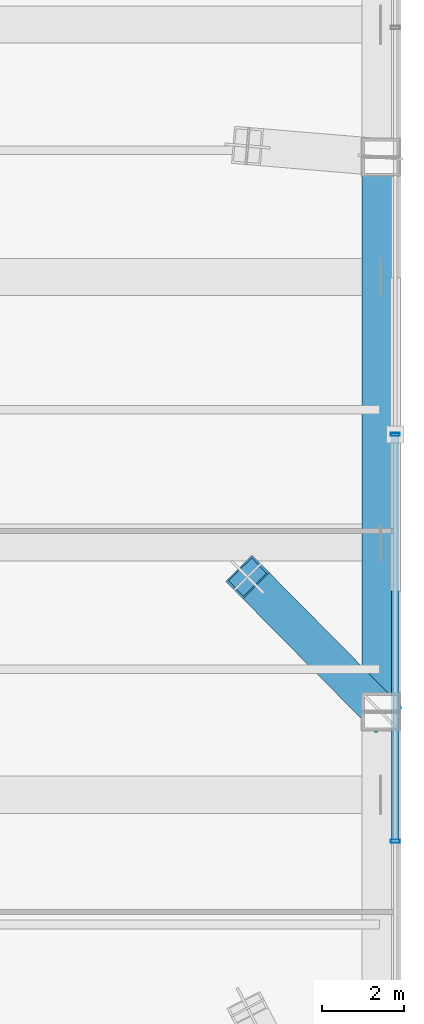
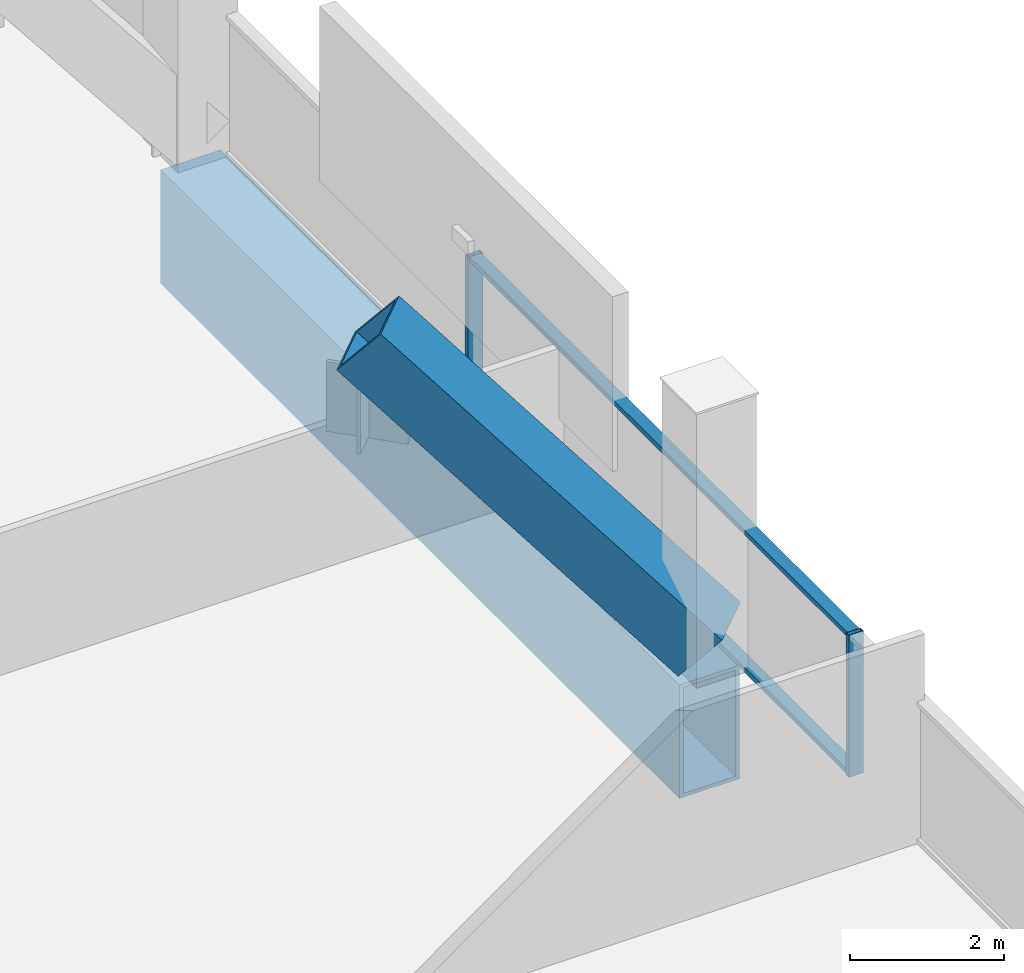
# One storey, part 14 of 38: 5 members, 1 beam, 1 element without a shape of its own.
"""IFC4 building model written with IfcOpenShell, lengths in metres."""

from ifc_helpers import new_model, si_unit, direction, frame, origin, origin_2d, place, context, subcontext, project, spatial, hollow_rectangle, extrude, material, layer, layer_set, material_profile, profile_set, type_object, element, aggregate, save


model = new_model("IFC4")

# Units and contexts
model_context = context("Model", 3, precision=1e-05, world=origin(), true_north=direction((0.0, 1.0)))
body_context = subcontext(model_context, "Body", "Model", "MODEL_VIEW")
ifc_project = project(units=[si_unit("LENGTHUNIT", "METRE"), si_unit("AREAUNIT", "SQUARE_METRE"), si_unit("VOLUMEUNIT", "CUBIC_METRE"), si_unit("PLANEANGLEUNIT", "RADIAN"), si_unit("MASSUNIT", "GRAM", prefix="KILO")], contexts=[model_context])

# Site, building, storey
site_placement = place(None, origin())
site = spatial("IfcSite", under=ifc_project, at=site_placement, CompositionType="ELEMENT")
building_placement = place(site_placement, origin())
building = spatial("IfcBuilding", under=site, at=building_placement, Name="Qhalaya Broadcast Tower", CompositionType="ELEMENT")
storey_placement = place(building_placement, frame((0.0, 0.0, 53.550048828125)))
storey = spatial("IfcBuildingStorey", under=building, at=storey_placement, Name="L15", CompositionType="ELEMENT", Elevation=53.550048828125)

# Beam
ifc_material_1 = material(Name="Structural Steel ASTM A572 Grade 50", Category="steel")
ifc_material_profile_1 = material_profile(ifc_material_1, hollow_rectangle(XDim=0.89990234375, YDim=1.800048828125, WallThickness=0.06005859375, at=origin_2d()), Name="BOX 900x1800x60")
ifc_profile_set_1 = profile_set([ifc_material_profile_1], Name="Structural Steel ASTM A572 Grade 50")
beam_type = type_object("IfcBeamType", Name="Block Cantilever Transfer Box Girder TG1", PredefinedType="USERDEFINED", material=ifc_profile_set_1)
beam_placement = place(storey_placement, frame((25.89990234375, -6.7333984375, -1.1201171875), z_axis=(0.0, 1.0, 0.0), x_axis=(-1.0, 0.0, 0.0)))
element("IfcBeam", 1, at=beam_placement, inside=storey, type_object=beam_type, Name="L15 TG1 L15-SPR-06", ObjectType="GIRDER", PredefinedType="USERDEFINED", context=body_context, shape_type="SweptSolid", body=[
    extrude(hollow_rectangle(XDim=0.89990234375, YDim=1.800048828125, WallThickness=0.06005859375, at=origin_2d()), origin(), (0.0, 0.0, 1.0), 13.466796875),
])

# Member
ifc_material_profile_2 = material_profile(ifc_material_1, hollow_rectangle(XDim=0.89990234375, YDim=0.89990234375, WallThickness=0.054931640625, at=origin_2d()), Name="BOX 900x900x55")
ifc_profile_set_2 = profile_set([ifc_material_profile_2], Name="Structural Steel ASTM A572 Grade 50")
member_type_1 = type_object("IfcMemberType", Name="Heavy Exoskeleton Transfer Strut RK1", PredefinedType="BRACE", material=ifc_profile_set_2)
member_1_placement = place(storey_placement, frame((25.89990234375, -6.7333984375, 0.349365234375), z_axis=(-0.530077205519, 0.536648079419, 0.656526461801), x_axis=(-0.711448959553, -0.702737773249, 0.0)))
element("IfcMember", 2, at=member_1_placement, inside=storey, type_object=member_type_1, Name="L15 Inclined Exoskeleton Transfer Strut 06", PredefinedType="BRACE", context=body_context, shape_type="SweptSolid", body=[
    extrude(hollow_rectangle(XDim=0.89990234375, YDim=0.89990234375, WallThickness=0.054931640625, at=origin_2d()), origin(), (0.0, 0.0, 1.0), 6.093505859375),
])

# Curtain wall, members
ifc_material_2 = material(Name="Fired Architectural Terracotta", Category="masonry")
ifc_layer = layer(ifc_material_2, 0.219970703125, Name="Fired Architectural Terracotta")
ifc_layer_set = layer_set([ifc_layer], Name="Fired Architectural Terracotta")
curtain_wall_type = type_object("IfcCurtainWallType", Name="Block-Cap Unitised Terracotta Spandrel Wall CW-07", PredefinedType="NOTDEFINED", material=ifc_layer_set)
curtain_wall_placement = place(storey_placement, origin())
curtain_wall = element("IfcCurtainWall", 3, at=curtain_wall_placement, inside=storey, type_object=curtain_wall_type, Name="L15 Unitised Curtain Wall L15-CW-E", PredefinedType="NOTDEFINED")
ifc_material_3 = material(Name="Anodised Aluminium 6063-T6", Category="aluminium")
ifc_material_profile_3 = material_profile(ifc_material_3, hollow_rectangle(XDim=0.074951171875, YDim=0.219970703125, WallThickness=0.00390625, at=origin_2d()), Name="ALU-MUL 75x220x4")
ifc_profile_set_3 = profile_set([ifc_material_profile_3], Name="Anodised Aluminium 6063-T6")
member_type_2 = type_object("IfcMemberType", Name="Unitised Curtain-Wall Mullion M01", PredefinedType="MULLION", material=ifc_profile_set_3)
member_2_placement = place(storey_placement, frame((26.260009765625, 0.0, 0.0), z_axis=(0.0, 0.0, 1.0), x_axis=(0.0, -1.0, 0.0)))
member_2 = element("IfcMember", 4, at=member_2_placement, type_object=member_type_2, Name="CW-07 mullion 3", PredefinedType="MULLION", context=body_context, shape_type="SweptSolid", body=[
    extrude(hollow_rectangle(XDim=0.074951171875, YDim=0.219970703125, WallThickness=0.00390625, at=origin_2d()), origin(), (0.0, 0.0, 1.0), 2.25),
])
member_3_placement = place(storey_placement, frame((26.260009765625, -9.881103515625, 0.0), z_axis=(0.0, 0.0, 1.0), x_axis=(0.0, -1.0, 0.0)))
member_3 = element("IfcMember", 5, at=member_3_placement, type_object=member_type_2, Name="CW-07 mullion 4", PredefinedType="MULLION", context=body_context, shape_type="SweptSolid", body=[
    extrude(hollow_rectangle(XDim=0.074951171875, YDim=0.219970703125, WallThickness=0.00390625, at=origin_2d()), origin(), (0.0, 0.0, 1.0), 2.25),
])
ifc_material_profile_4 = material_profile(ifc_material_3, hollow_rectangle(XDim=0.074951171875, YDim=0.179931640625, WallThickness=0.00390625, at=origin_2d()), Name="ALU-TRN 75x180x4")
ifc_profile_set_4 = profile_set([ifc_material_profile_4], Name="Anodised Aluminium 6063-T6")
member_type_3 = type_object("IfcMemberType", Name="Unitised Curtain-Wall Transom T01", PredefinedType="USERDEFINED", material=ifc_profile_set_4)
member_4_placement = place(storey_placement, frame((26.260009765625, -0.03759765625, 0.037353515625), z_axis=(0.0, -1.0, 0.0), x_axis=(0.0, 0.0, 1.0)))
member_4 = element("IfcMember", 6, at=member_4_placement, type_object=member_type_3, Name="CW-07 transom 3.1", ObjectType="TRANSOM", PredefinedType="USERDEFINED", context=body_context, shape_type="SweptSolid", body=[
    extrude(hollow_rectangle(XDim=0.074951171875, YDim=0.179931640625, WallThickness=0.00390625, at=origin_2d()), origin(), (0.0, 0.0, 1.0), 9.805908203125),
])
member_5_placement = place(storey_placement, frame((26.260009765625, -0.03759765625, 2.21240234375), z_axis=(0.0, -1.0, 0.0), x_axis=(0.0, 0.0, 1.0)))
member_5 = element("IfcMember", 7, at=member_5_placement, type_object=member_type_3, Name="CW-07 transom 3.2", ObjectType="TRANSOM", PredefinedType="USERDEFINED", context=body_context, shape_type="SweptSolid", body=[
    extrude(hollow_rectangle(XDim=0.074951171875, YDim=0.179931640625, WallThickness=0.00390625, at=origin_2d()), origin(), (0.0, 0.0, 1.0), 9.805908203125),
])
aggregate(curtain_wall, [member_2, member_3, member_4, member_5])

save(model, "model.ifc")
